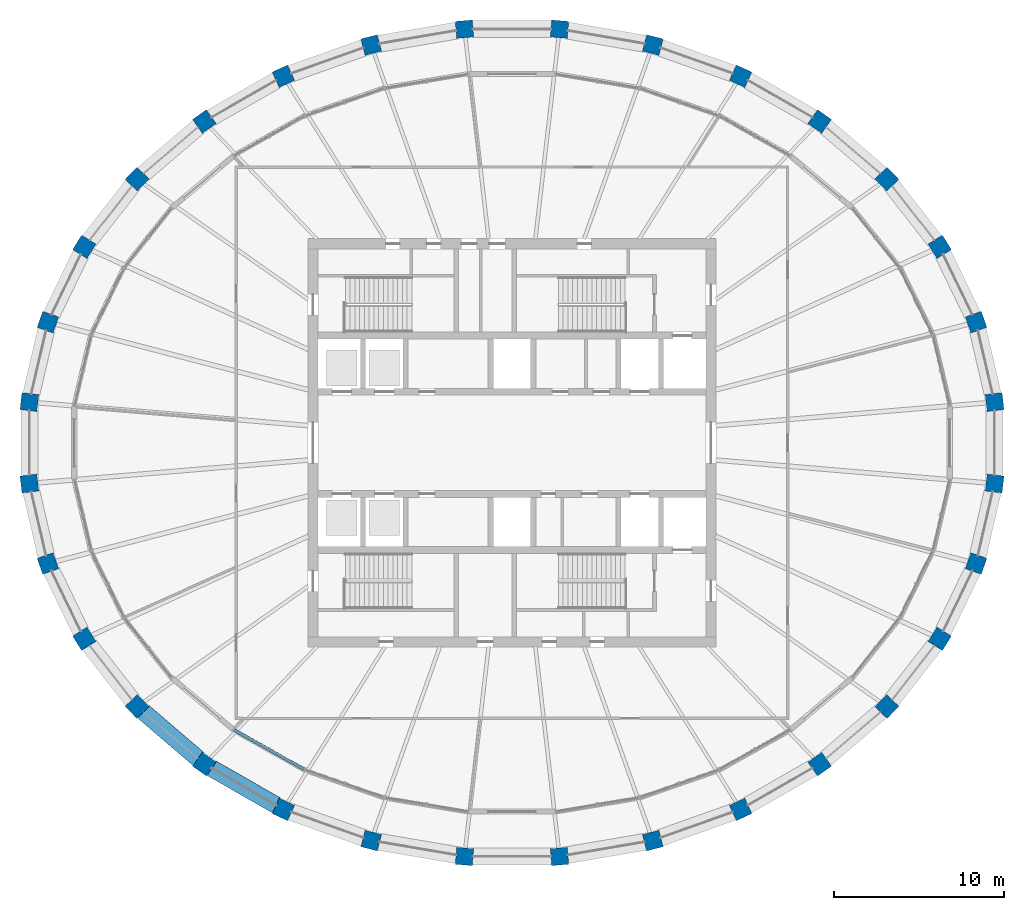
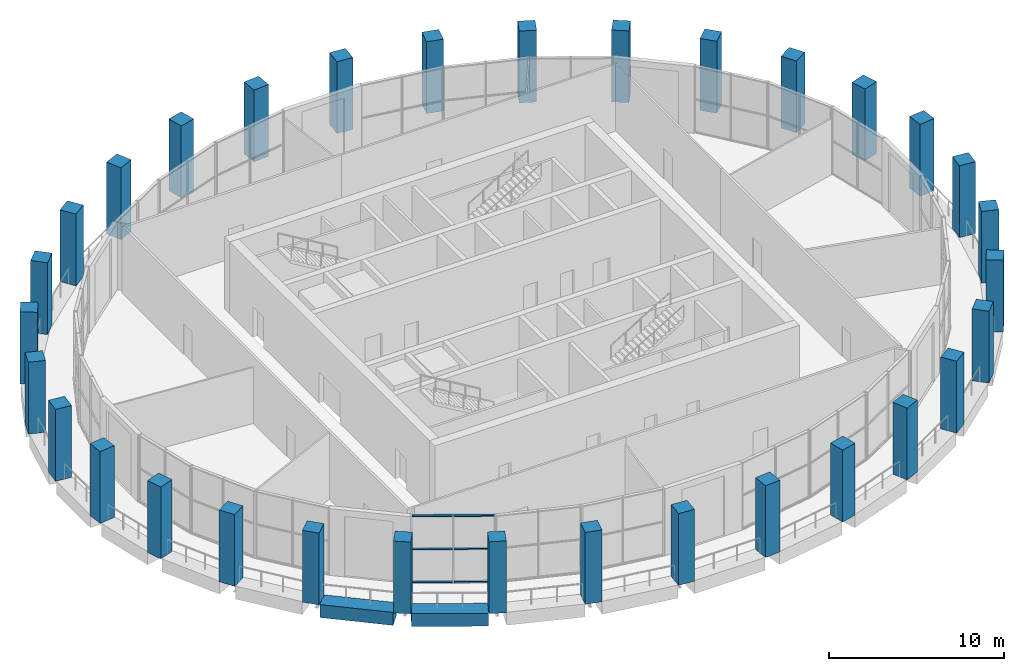
# One storey, part 1 of 16: 32 columns, 6 members, 2 beams, 1 element without a shape of its own.
"""IFC4 building model written with IfcOpenShell, lengths in metres."""

from ifc_helpers import new_model, si_unit, direction, frame, origin, origin_2d, place, context, subcontext, project, spatial, rectangle, extrude, material, material_profile, profile_set, type_object, element, aggregate, save


model = new_model("IFC4")

# Units and contexts
model_context = context("Model", 3, precision=1e-05, world=origin(), true_north=direction((0.0, 1.0)))
body_context = subcontext(model_context, "Body", "Model", "MODEL_VIEW")
ifc_project = project(units=[si_unit("LENGTHUNIT", "METRE"), si_unit("AREAUNIT", "SQUARE_METRE"), si_unit("VOLUMEUNIT", "CUBIC_METRE"), si_unit("PLANEANGLEUNIT", "RADIAN"), si_unit("MASSUNIT", "GRAM", prefix="KILO")], contexts=[model_context])

# Site, building, storey
site_placement = place(None, origin())
site = spatial("IfcSite", under=ifc_project, at=site_placement, CompositionType="ELEMENT")
building_placement = place(site_placement, origin())
building = spatial("IfcBuilding", under=site, at=building_placement, Name="Halqa Exchange Tower", CompositionType="ELEMENT")
storey_placement = place(building_placement, frame((0.0, 0.0, 333.300048828125)))
storey = spatial("IfcBuildingStorey", under=building, at=storey_placement, Name="L78", CompositionType="ELEMENT", Elevation=333.300048828125)

# Columns
ifc_material_1 = material(Name="Concrete C50/60", Category="concrete")
ifc_material_profile_1 = material_profile(ifc_material_1, rectangle(XDim=1.0, YDim=1.0, at=origin_2d()), Name="1000 x 1000")
ifc_profile_set_1 = profile_set([ifc_material_profile_1], Name="Concrete C50/60")
column_type = type_object("IfcColumnType", Name="RC ring column 1000 x 1000 C50/60", PredefinedType="COLUMN", material=ifc_profile_set_1)
for number, where, z_axis, x_axis, name in (
    (1, (28.36279296875, 2.394287109375, 0.0), (0.0, 0.0, 1.0), (-0.114160389816, 0.993462332148, 0.0), "Ring column 1"),
    (2, (27.272705078125, 7.09130859375, 0.0), (0.0, 0.0, 1.0), (-0.333624233576, 0.942706142321, 0.0), "Ring column 2"),
    (3, (25.134765625, 11.515625, 0.0), (0.0, 0.0, 1.0), (-0.529140496257, 0.848534227489, 0.0), "Ring column 3"),
    (4, (22.03076171875, 15.497314453125, 0.0), (0.0, 0.0, 1.0), (-0.691578612608, 0.722301199351, 0.0), "Ring column 4"),
    (5, (18.080078125, 18.883544921875, 0.0), (0.0, 0.0, 1.0), (-0.817906779671, 0.575350762377, 0.0), "Ring column 5"),
    (6, (13.434814453125, 21.544189453125, 0.0), (0.0, 0.0, 1.0), (-0.909128549752, 0.416515641994, 0.0), "Ring column 6"),
    (7, (8.273193359375, 23.376708984375, 0.0), (0.0, 0.0, 1.0), (-0.967819064366, 0.251647091481, 0.0), "Ring column 7"),
    (8, (2.79345703125, 24.31103515625, 0.0), (0.0, 0.0, 1.0), (-0.996455078514, 0.084126550533, 0.0), "Ring column 8"),
    (9, (-2.79345703125, 24.31103515625, 0.0), (0.0, 0.0, 1.0), (-0.996455078514, -0.084126550533, 0.0), "Ring column 9"),
    (10, (-8.273193359375, 23.376708984375, 0.0), (0.0, 0.0, 1.0), (-0.967819064366, -0.251647091481, 0.0), "Ring column 10"),
    (11, (-13.434814453125, 21.544189453125, 0.0), (0.0, 0.0, 1.0), (-0.909128549752, -0.416515641994, 0.0), "Ring column 11"),
    (12, (-18.080078125, 18.883544921875, 0.0), (0.0, 0.0, 1.0), (-0.817906779671, -0.575350762377, 0.0), "Ring column 12"),
    (13, (-22.03076171875, 15.497314453125, 0.0), (0.0, 0.0, 1.0), (-0.691578612608, -0.722301199351, 0.0), "Ring column 13"),
    (14, (-25.134765625, 11.515625, 0.0), (0.0, 0.0, 1.0), (-0.529140496257, -0.848534227489, 0.0), "Ring column 14"),
    (15, (-27.272705078125, 7.09130859375, 0.0), (0.0, 0.0, 1.0), (-0.333624233576, -0.942706142321, 0.0), "Ring column 15"),
    (16, (-28.36279296875, 2.394287109375, 0.0), (0.0, 0.0, 1.0), (-0.114160389816, -0.993462332148, 0.0), "Ring column 16"),
    (17, (-28.36279296875, -2.394287109375, 0.0), (0.0, 0.0, 1.0), (0.114160389816, -0.993462332148, 0.0), "Ring column 17"),
    (18, (-27.272705078125, -7.09130859375, 0.0), (0.0, 0.0, 1.0), (0.333624233576, -0.942706142321, 0.0), "Ring column 18"),
    (19, (-25.134765625, -11.515625, 0.0), (0.0, 0.0, 1.0), (0.529140496257, -0.848534227489, 0.0), "Ring column 19"),
    (20, (-22.03076171875, -15.497314453125, 0.0), (0.0, 0.0, 1.0), (0.691578612608, -0.722301199351, 0.0), "Ring column 20"),
    (21, (-18.080078125, -18.883544921875, 0.0), (0.0, 0.0, 1.0), (0.817906779671, -0.575350762377, 0.0), "Ring column 21"),
    (22, (-13.434814453125, -21.544189453125, 0.0), (0.0, 0.0, 1.0), (0.909128549752, -0.416515641994, 0.0), "Ring column 22"),
    (23, (-8.273193359375, -23.376708984375, 0.0), (0.0, 0.0, 1.0), (0.967819064366, -0.251647091481, 0.0), "Ring column 23"),
    (24, (-2.79345703125, -24.31103515625, 0.0), (0.0, 0.0, 1.0), (0.996455078514, -0.084126550533, 0.0), "Ring column 24"),
    (25, (2.79345703125, -24.31103515625, 0.0), (0.0, 0.0, 1.0), (0.996455078514, 0.084126550533, 0.0), "Ring column 25"),
    (26, (8.273193359375, -23.376708984375, 0.0), (0.0, 0.0, 1.0), (0.967819064366, 0.251647091481, 0.0), "Ring column 26"),
    (27, (13.434814453125, -21.544189453125, 0.0), (0.0, 0.0, 1.0), (0.909128549752, 0.416515641994, 0.0), "Ring column 27"),
    (28, (18.080078125, -18.883544921875, 0.0), (0.0, 0.0, 1.0), (0.817906779671, 0.575350762377, 0.0), "Ring column 28"),
    (29, (22.03076171875, -15.497314453125, 0.0), (0.0, 0.0, 1.0), (0.691578612608, 0.722301199351, 0.0), "Ring column 29"),
    (30, (25.134765625, -11.515625, 0.0), (0.0, 0.0, 1.0), (0.529140496257, 0.848534227489, 0.0), "Ring column 30"),
    (31, (27.272705078125, -7.09130859375, 0.0), (0.0, 0.0, 1.0), (0.333624233576, 0.942706142321, 0.0), "Ring column 31"),
    (32, (28.36279296875, -2.394287109375, 0.0), (0.0, 0.0, 1.0), (0.114160389816, 0.993462332148, 0.0), "Ring column 32"),
):
    element("IfcColumn", number, at=place(storey_placement, frame(where, z_axis=z_axis, x_axis=x_axis)), inside=storey, type_object=column_type, Name=name, PredefinedType="COLUMN", context=body_context, shape_type="SweptSolid", body=[
        extrude(rectangle(XDim=1.0, YDim=1.0, at=origin_2d()), origin(), (0.0, 0.0, 1.0), 5.0),
    ])

# Beams
ifc_material_2 = material(Name="Concrete C60/75", Category="concrete")
ifc_material_profile_2 = material_profile(ifc_material_2, rectangle(XDim=1.0, YDim=0.89990234375, at=origin_2d()), Name="1000 x 900")
ifc_profile_set_2 = profile_set([ifc_material_profile_2], Name="Concrete C60/75")
beam_type = type_object("IfcBeamType", Name="RC spandrel beam 1000 x 900 C60/75", PredefinedType="SPANDREL", material=ifc_profile_set_2)
beam_1_placement = place(storey_placement, frame((-21.670654296875, -15.805908203125, -0.449951171875), z_axis=(0.759232294843, -0.65081973116, 0.0), x_axis=(0.65081973116, 0.759232294843, 0.0)))
element("IfcBeam", 33, at=beam_1_placement, inside=storey, type_object=beam_type, Name="Spandrel 20", PredefinedType="SPANDREL", context=body_context, shape_type="SweptSolid", body=[
    extrude(rectangle(XDim=1.0, YDim=0.89990234375, at=origin_2d()), origin(), (0.0, 0.0, 1.0), 4.25390625),
])
beam_2_placement = place(storey_placement, frame((-17.669189453125, -19.119140625, -0.449951171875), z_axis=(0.86778573249, -0.49693855001, 0.0), x_axis=(0.49693855001, 0.86778573249, 0.0)))
element("IfcBeam", 34, at=beam_2_placement, inside=storey, type_object=beam_type, Name="Spandrel 21", PredefinedType="SPANDREL", context=body_context, shape_type="SweptSolid", body=[
    extrude(rectangle(XDim=1.0, YDim=0.89990234375, at=origin_2d()), origin(), (0.0, 0.0, 1.0), 4.40478515625),
])

# Curtain wall, members
ifc_material_3 = material(Name="Anodised aluminium and clear glass", Category="aluminium")
curtain_wall_type = type_object("IfcCurtainWallType", Name="Sky lobby glazing", PredefinedType="NOTDEFINED", material=ifc_material_3)
curtain_wall_placement = place(storey_placement, origin())
curtain_wall = element("IfcCurtainWall", 35, at=curtain_wall_placement, inside=storey, type_object=curtain_wall_type, Name="Sky lobby glazing run G21", PredefinedType="NOTDEFINED")
ifc_material_4 = material(Name="Anodised aluminium", Category="aluminium")
ifc_material_profile_3 = material_profile(ifc_material_4, rectangle(XDim=0.179931640625, YDim=0.070068359375, at=origin_2d()), Name="AL 70x180")
ifc_profile_set_3 = profile_set([ifc_material_profile_3], Name="Anodised aluminium")
member_type = type_object("IfcMemberType", Name="Sky lobby glazing transom 70 x 180", PredefinedType="USERDEFINED", material=ifc_profile_set_3)
member_1_placement = place(storey_placement, frame((-16.32861328125, -16.877197265625, 0.034912109375), z_axis=(0.871634762518, -0.490155935157, 0.0), x_axis=(0.490155935157, 0.871634762518, 0.0)))
member_1 = element("IfcMember", 36, at=member_1_placement, type_object=member_type, Name="G21 transom 1.1", ObjectType="TRANSOM", PredefinedType="USERDEFINED", context=body_context, shape_type="SweptSolid", body=[
    extrude(rectangle(XDim=0.179931640625, YDim=0.070068359375, at=origin_2d()), origin(), (0.0, 0.0, 1.0), 2.3115234375),
])
member_2_placement = place(storey_placement, frame((-16.32861328125, -16.877197265625, 2.324951171875), z_axis=(0.871634762518, -0.490155935157, 0.0), x_axis=(0.490155935157, 0.871634762518, 0.0)))
member_2 = element("IfcMember", 37, at=member_2_placement, type_object=member_type, Name="G21 transom 1.2", ObjectType="TRANSOM", PredefinedType="USERDEFINED", context=body_context, shape_type="SweptSolid", body=[
    extrude(rectangle(XDim=0.179931640625, YDim=0.070068359375, at=origin_2d()), origin(), (0.0, 0.0, 1.0), 2.3115234375),
])
member_3_placement = place(storey_placement, frame((-16.32861328125, -16.877197265625, 4.614990234375), z_axis=(0.871634762518, -0.490155935157, 0.0), x_axis=(0.490155935157, 0.871634762518, 0.0)))
member_3 = element("IfcMember", 38, at=member_3_placement, type_object=member_type, Name="G21 transom 1.3", ObjectType="TRANSOM", PredefinedType="USERDEFINED", context=body_context, shape_type="SweptSolid", body=[
    extrude(rectangle(XDim=0.179931640625, YDim=0.070068359375, at=origin_2d()), origin(), (0.0, 0.0, 1.0), 2.3115234375),
])
member_4_placement = place(storey_placement, frame((-14.252685546875, -18.044677734375, 0.034912109375), z_axis=(0.871634762518, -0.490155935157, 0.0), x_axis=(0.490155935157, 0.871634762518, 0.0)))
member_4 = element("IfcMember", 39, at=member_4_placement, type_object=member_type, Name="G21 transom 2.1", ObjectType="TRANSOM", PredefinedType="USERDEFINED", context=body_context, shape_type="SweptSolid", body=[
    extrude(rectangle(XDim=0.179931640625, YDim=0.070068359375, at=origin_2d()), origin(), (0.0, 0.0, 1.0), 2.3115234375),
])
member_5_placement = place(storey_placement, frame((-14.252685546875, -18.044677734375, 2.324951171875), z_axis=(0.871634762518, -0.490155935157, 0.0), x_axis=(0.490155935157, 0.871634762518, 0.0)))
member_5 = element("IfcMember", 40, at=member_5_placement, type_object=member_type, Name="G21 transom 2.2", ObjectType="TRANSOM", PredefinedType="USERDEFINED", context=body_context, shape_type="SweptSolid", body=[
    extrude(rectangle(XDim=0.179931640625, YDim=0.070068359375, at=origin_2d()), origin(), (0.0, 0.0, 1.0), 2.3115234375),
])
member_6_placement = place(storey_placement, frame((-14.252685546875, -18.044677734375, 4.614990234375), z_axis=(0.871634762518, -0.490155935157, 0.0), x_axis=(0.490155935157, 0.871634762518, 0.0)))
member_6 = element("IfcMember", 41, at=member_6_placement, type_object=member_type, Name="G21 transom 2.3", ObjectType="TRANSOM", PredefinedType="USERDEFINED", context=body_context, shape_type="SweptSolid", body=[
    extrude(rectangle(XDim=0.179931640625, YDim=0.070068359375, at=origin_2d()), origin(), (0.0, 0.0, 1.0), 2.3115234375),
])
aggregate(curtain_wall, [member_1, member_2, member_3, member_4, member_5, member_6])

save(model, "model.ifc")
